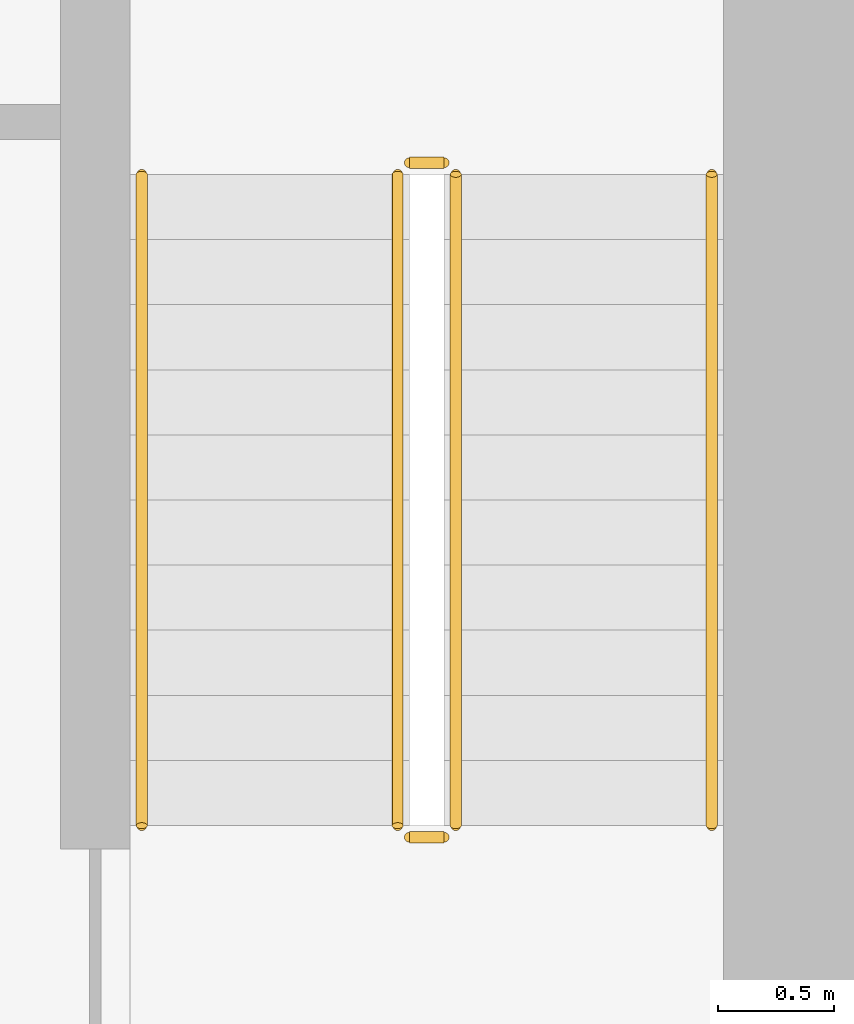
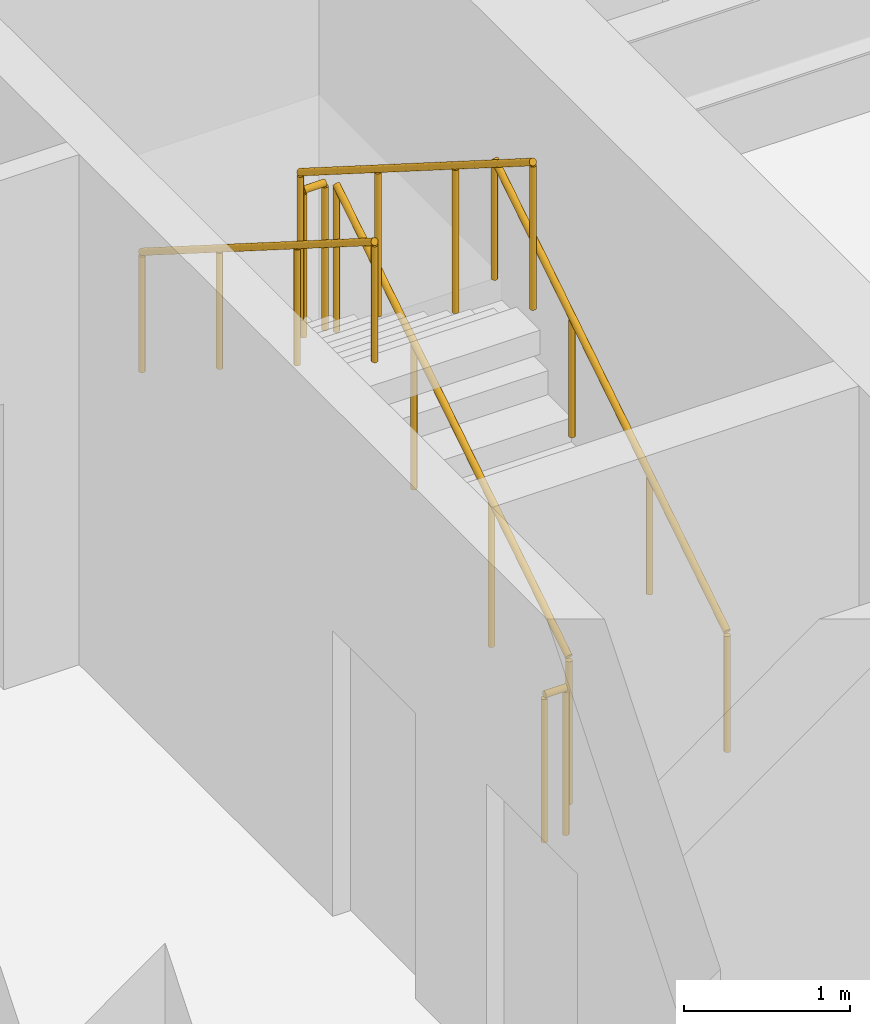
# One storey, part 9 of 9: 6 railings.
"""IFC4 building model written with IfcOpenShell, lengths in metres."""

from ifc_helpers import new_model, si_unit, direction, frame, origin, origin_2d, place, context, subcontext, project, spatial, circle, extrude, material, type_object, element, save


model = new_model("IFC4")

# Units and contexts
model_context = context("Model", 3, precision=1e-05, world=origin(), true_north=direction((0.0, 1.0)))
body_context = subcontext(model_context, "Body", "Model", "MODEL_VIEW")
ifc_project = project(units=[si_unit("LENGTHUNIT", "METRE"), si_unit("AREAUNIT", "SQUARE_METRE"), si_unit("VOLUMEUNIT", "CUBIC_METRE"), si_unit("PLANEANGLEUNIT", "RADIAN"), si_unit("MASSUNIT", "GRAM", prefix="KILO")], contexts=[model_context])

# Site, building, storey
site_placement = place(None, origin())
site = spatial("IfcSite", under=ifc_project, at=site_placement, CompositionType="ELEMENT")
building_placement = place(site_placement, origin())
building = spatial("IfcBuilding", under=site, at=building_placement, Name="Aloe Facet Convention Tower", CompositionType="ELEMENT")
storey_placement = place(building_placement, frame((0.0, 0.0, 144.199951171875)))
storey = spatial("IfcBuildingStorey", under=building, at=storey_placement, Name="L36", CompositionType="ELEMENT", Elevation=144.199951171875)

# Railings
ifc_material_1 = material(Name="Steel S355 balustrade", Category="steel")
railing_type_1 = type_object("IfcRailingType", Name="CR-RL-GUARD", PredefinedType="GUARDRAIL", material=ifc_material_1)
railing_1_placement = place(storey_placement, frame((89.25, 128.949951171875, 0.17724609375)))
element("IfcRailing", 1, at=railing_1_placement, inside=storey, type_object=railing_type_1, Name="L36 ST2 stair guard 1", PredefinedType="GUARDRAIL", context=body_context, shape_type="SweptSolid", body=[
    extrude(circle(Radius=0.02392578125, at=origin_2d()), frame((0.0, 0.0, 1.076171875), z_axis=(0.0, 0.844908973607, 0.534910110503), x_axis=(-1.0, 0.0, 0.0)), (0.0, 0.0, 1.0), 3.31396484375),
    extrude(circle(Radius=0.02099609375, at=origin_2d()), origin(), (0.0, 0.0, 1.0), 1.052001953125),
    extrude(circle(Radius=0.02099609375, at=origin_2d()), frame((0.0, 0.933349609375, 0.5908203125)), (0.0, 0.0, 1.0), 1.052001953125),
    extrude(circle(Radius=0.02099609375, at=origin_2d()), frame((0.0, 1.86669921875, 1.181884765625)), (0.0, 0.0, 1.0), 1.052001953125),
    extrude(circle(Radius=0.02099609375, at=origin_2d()), frame((0.0, 2.800048828125, 1.772705078125)), (0.0, 0.0, 1.0), 1.052001953125),
])
railing_2_placement = place(storey_placement, frame((89.199951171875, 131.800048828125, 1.949951171875)))
element("IfcRailing", 2, at=railing_2_placement, inside=storey, type_object=railing_type_1, Name="L36 ST2 stair guard 2", PredefinedType="GUARDRAIL", context=body_context, shape_type="SweptSolid", body=[
    extrude(circle(Radius=0.02392578125, at=origin_2d()), frame((0.0, 0.0, 1.076171875), z_axis=(-1.0, 0.0, 0.0), x_axis=(0.0, -1.0, 0.0)), (0.0, 0.0, 1.0), 0.14990234375),
    extrude(circle(Radius=0.02099609375, at=origin_2d()), origin(), (0.0, 0.0, 1.0), 1.052001953125),
    extrude(circle(Radius=0.02099609375, at=origin_2d()), frame((-0.14990234375, 0.0, 0.0)), (0.0, 0.0, 1.0), 1.052001953125),
])
railing_3_placement = place(storey_placement, frame((89.0, 131.75, 2.12744140625)))
element("IfcRailing", 3, at=railing_3_placement, inside=storey, type_object=railing_type_1, Name="L36 ST2 stair guard 3", PredefinedType="GUARDRAIL", context=body_context, shape_type="SweptSolid", body=[
    extrude(circle(Radius=0.02392578125, at=origin_2d()), frame((0.0, 0.0, 1.076171875), z_axis=(0.0, -0.844908973607, 0.534910110503), x_axis=(1.0, 0.0, 0.0)), (0.0, 0.0, 1.0), 3.31396484375),
    extrude(circle(Radius=0.02099609375, at=origin_2d()), origin(), (0.0, 0.0, 1.0), 1.052001953125),
    extrude(circle(Radius=0.02099609375, at=origin_2d()), frame((0.0, -0.933349609375, 0.5908203125)), (0.0, 0.0, 1.0), 1.052001953125),
    extrude(circle(Radius=0.02099609375, at=origin_2d()), frame((0.0, -1.86669921875, 1.181884765625)), (0.0, 0.0, 1.0), 1.052001953125),
    extrude(circle(Radius=0.02099609375, at=origin_2d()), frame((0.0, -2.800048828125, 1.772705078125)), (0.0, 0.0, 1.0), 1.052001953125),
])
railing_4_placement = place(storey_placement, frame((89.199951171875, 128.89990234375, 0.0)))
element("IfcRailing", 4, at=railing_4_placement, inside=storey, type_object=railing_type_1, Name="L36 ST2 stair guard 4", PredefinedType="GUARDRAIL", context=body_context, shape_type="SweptSolid", body=[
    extrude(circle(Radius=0.02392578125, at=origin_2d()), frame((0.0, 0.0, 1.076171875), z_axis=(-1.0, 0.0, 0.0), x_axis=(0.0, -1.0, 0.0)), (0.0, 0.0, 1.0), 0.14990234375),
    extrude(circle(Radius=0.02099609375, at=origin_2d()), origin(), (0.0, 0.0, 1.0), 1.052001953125),
    extrude(circle(Radius=0.02099609375, at=origin_2d()), frame((-0.14990234375, 0.0, 0.0)), (0.0, 0.0, 1.0), 1.052001953125),
])
ifc_material_2 = material(Name="Steel S355 handrail", Category="steel")
railing_type_2 = type_object("IfcRailingType", Name="CR-RL-HAND", PredefinedType="HANDRAIL", material=ifc_material_2)
railing_5_placement = place(storey_placement, frame((90.35009765625, 128.949951171875, 0.17724609375)))
element("IfcRailing", 5, at=railing_5_placement, inside=storey, type_object=railing_type_2, Name="L36 ST2 stair handrail 1", PredefinedType="HANDRAIL", context=body_context, shape_type="SweptSolid", body=[
    extrude(circle(Radius=0.02392578125, at=origin_2d()), frame((0.0, 0.0, 0.8759765625), z_axis=(0.0, 0.844908973607, 0.534910110503), x_axis=(-1.0, 0.0, 0.0)), (0.0, 0.0, 1.0), 3.31396484375),
    extrude(circle(Radius=0.02099609375, at=origin_2d()), origin(), (0.0, 0.0, 1.0), 0.851806640625),
    extrude(circle(Radius=0.02099609375, at=origin_2d()), frame((0.0, 0.933349609375, 0.5908203125)), (0.0, 0.0, 1.0), 0.851806640625),
    extrude(circle(Radius=0.02099609375, at=origin_2d()), frame((0.0, 1.86669921875, 1.181884765625)), (0.0, 0.0, 1.0), 0.851806640625),
    extrude(circle(Radius=0.02099609375, at=origin_2d()), frame((0.0, 2.800048828125, 1.772705078125)), (0.0, 0.0, 1.0), 0.851806640625),
])
railing_6_placement = place(storey_placement, frame((87.89990234375, 131.75, 2.12744140625)))
element("IfcRailing", 6, at=railing_6_placement, inside=storey, type_object=railing_type_2, Name="L36 ST2 stair handrail 2", PredefinedType="HANDRAIL", context=body_context, shape_type="SweptSolid", body=[
    extrude(circle(Radius=0.02392578125, at=origin_2d()), frame((0.0, 0.0, 0.8759765625), z_axis=(0.0, -0.844908973607, 0.534910110503), x_axis=(1.0, 0.0, 0.0)), (0.0, 0.0, 1.0), 3.31396484375),
    extrude(circle(Radius=0.02099609375, at=origin_2d()), origin(), (0.0, 0.0, 1.0), 0.851806640625),
    extrude(circle(Radius=0.02099609375, at=origin_2d()), frame((0.0, -0.933349609375, 0.5908203125)), (0.0, 0.0, 1.0), 0.851806640625),
    extrude(circle(Radius=0.02099609375, at=origin_2d()), frame((0.0, -1.86669921875, 1.181884765625)), (0.0, 0.0, 1.0), 0.851806640625),
    extrude(circle(Radius=0.02099609375, at=origin_2d()), frame((0.0, -2.800048828125, 1.772705078125)), (0.0, 0.0, 1.0), 0.851806640625),
])

save(model, "model.ifc")
